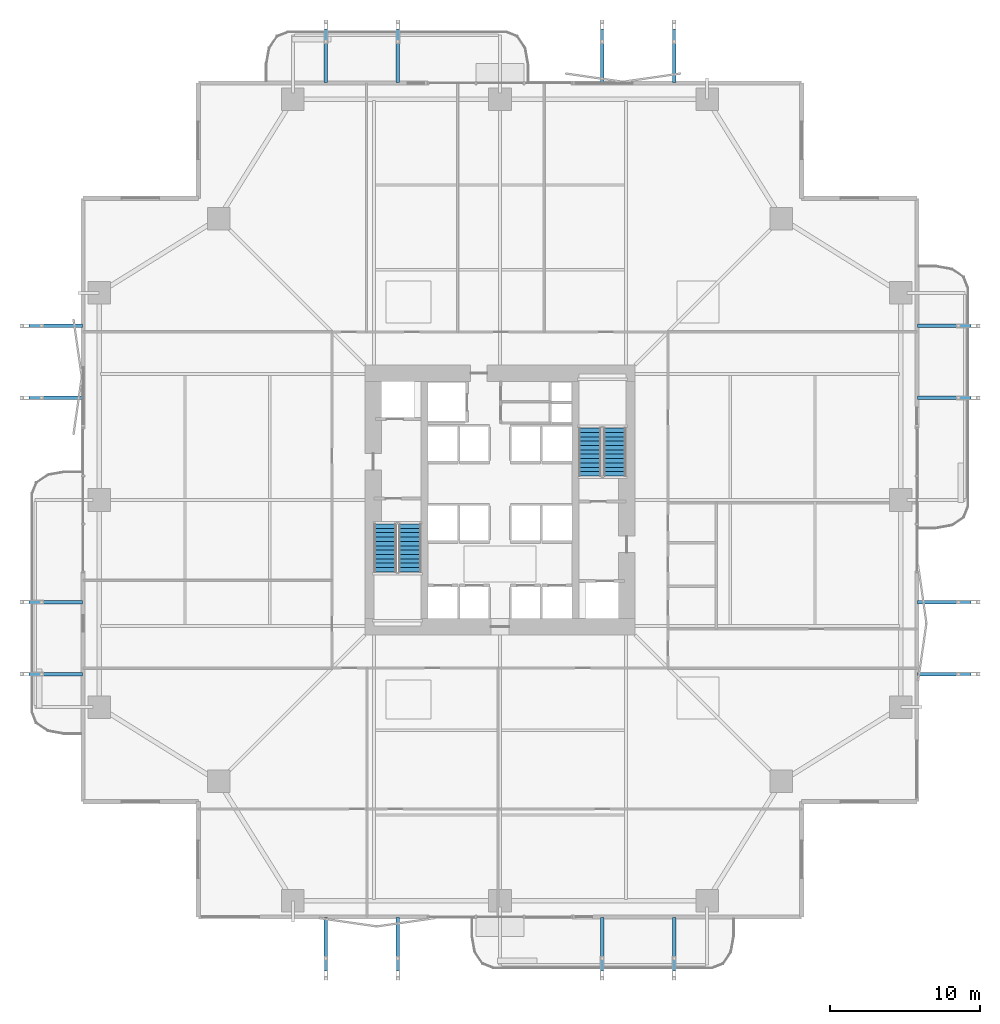
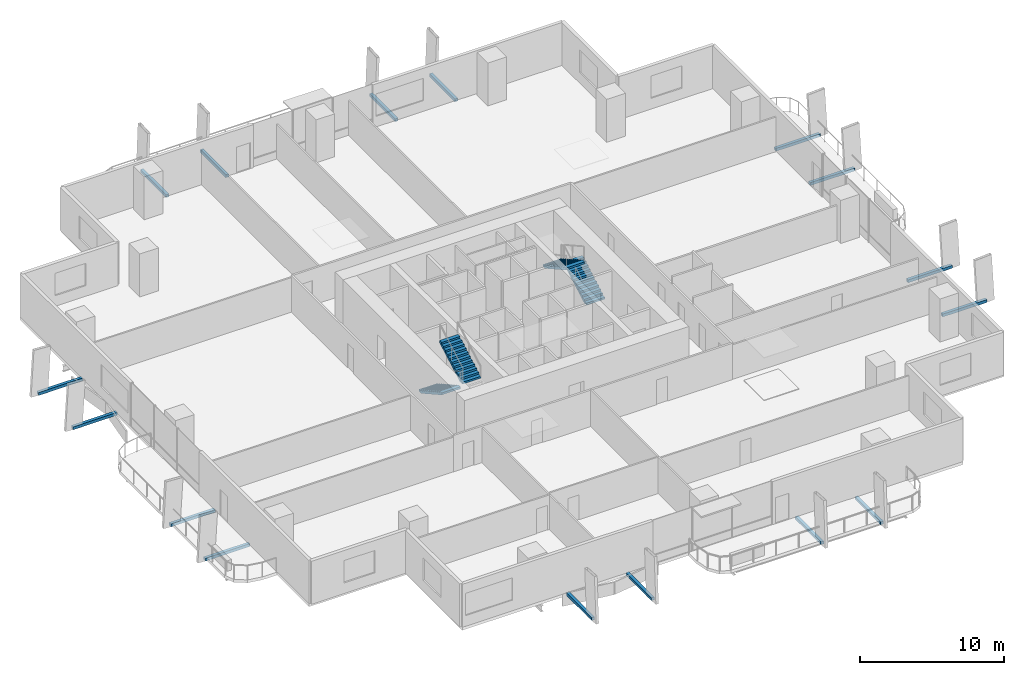
# One storey, part 20 of 24: 16 discrete accessories, 4 stair flights, 2 elements without a shape of their own.
"""IFC4 building model written with IfcOpenShell, lengths in metres."""

from ifc_helpers import new_model, si_unit, direction, frame, origin, origin_2d, place, context, subcontext, project, spatial, polyline, rectangle, outline, extrude, material, layer, layer_set, type_object, element, aggregate, save


model = new_model("IFC4")

# Units and contexts
model_context = context("Model", 3, precision=1e-05, world=origin(), true_north=direction((0.0, 1.0)))
body_context = subcontext(model_context, "Body", "Model", "MODEL_VIEW")
ifc_project = project(units=[si_unit("LENGTHUNIT", "METRE"), si_unit("AREAUNIT", "SQUARE_METRE"), si_unit("VOLUMEUNIT", "CUBIC_METRE"), si_unit("PLANEANGLEUNIT", "RADIAN"), si_unit("MASSUNIT", "GRAM", prefix="KILO")], contexts=[model_context])

# Site, building, storey
site_placement = place(None, origin())
site = spatial("IfcSite", under=ifc_project, at=site_placement, CompositionType="ELEMENT")
building_placement = place(site_placement, origin())
building = spatial("IfcBuilding", under=site, at=building_placement, Name="Belovzor Exchange Tower", CompositionType="ELEMENT")
storey_placement = place(building_placement, frame((0.0, 0.0, 33.89990234375)))
storey = spatial("IfcBuildingStorey", under=building, at=storey_placement, Name="L07", CompositionType="ELEMENT", Elevation=33.89990234375)

# Stair, stair flights
ifc_material_1 = material(Name="Concrete C40/50", Category="concrete")
stair_type = type_object("IfcStairType", Name="Reinforced Concrete Dogleg Escape Stair 1350", PredefinedType="HALF_TURN_STAIR", material=ifc_material_1)
stair_1_placement = place(storey_placement, origin())
stair_1 = element("IfcStair", 1, at=stair_1_placement, inside=storey, type_object=stair_type, Name="L07 ST-1", PredefinedType="HALF_TURN_STAIR")
ifc_material_2 = material(Name="Concrete C40/50", Category="concrete")
stair_flight_type = type_object("IfcStairFlightType", Name="Reinforced Concrete Stair Flight 1350", PredefinedType="STRAIGHT", material=ifc_material_2)
stair_flight_1_placement = place(storey_placement, frame((21.14990234375, 27.199951171875, 0.0), z_axis=(0.0, 0.0, 1.0), x_axis=(0.0, -1.0, 0.0)))
stair_flight_1 = element("IfcStairFlight", 2, at=stair_flight_1_placement, type_object=stair_flight_type, Name="ST-1 flight 1", NumberOfRisers=12, NumberOfTreads=11, PredefinedType="STRAIGHT", RiserHeight=0.1625, TreadLength=0.29, context=body_context, shape_type="SweptSolid", body=[
    extrude(outline(polyline([(0.0, 0.0), (0.0, 0.16259765625), (0.2900390625, 0.16259765625), (0.2900390625, 0.324951171875), (0.580078125, 0.324951171875), (0.580078125, 0.487548828125), (0.8701171875, 0.487548828125), (0.8701171875, 0.64990234375), (1.159912109375, 0.64990234375), (1.159912109375, 0.8125), (1.449951171875, 0.8125), (1.449951171875, 0.97509765625), (1.739990234375, 0.97509765625), (1.739990234375, 1.137451171875), (2.030029296875, 1.137451171875), (2.030029296875, 1.300048828125), (2.320068359375, 1.300048828125), (2.320068359375, 1.46240234375), (2.610107421875, 1.46240234375), (2.610107421875, 1.625), (2.89990234375, 1.625), (2.89990234375, 1.78759765625), (3.18994140625, 1.78759765625), (3.18994140625, 1.949951171875), (3.18994140625, 1.61572265625), (0.306640625, 0.0), (0.0, 0.0)])), frame((0.0, 0.75, 0.0), z_axis=(0.0, -1.0, 0.0), x_axis=(1.0, 0.0, 0.0)), (0.0, 0.0, 1.0), 1.5),
])
stair_flight_2_placement = place(storey_placement, frame((22.800048828125, 24.010009765625, 1.9501953125), z_axis=(0.0, 0.0, 1.0), x_axis=(0.0, 1.0, 0.0)))
stair_flight_2 = element("IfcStairFlight", 3, at=stair_flight_2_placement, type_object=stair_flight_type, Name="ST-1 flight 2", NumberOfRisers=12, NumberOfTreads=11, PredefinedType="STRAIGHT", RiserHeight=0.1625, TreadLength=0.29, context=body_context, shape_type="SweptSolid", body=[
    extrude(outline(polyline([(0.0, 0.0), (0.0, 0.16259765625), (0.2900390625, 0.16259765625), (0.2900390625, 0.324951171875), (0.580078125, 0.324951171875), (0.580078125, 0.487548828125), (0.8701171875, 0.487548828125), (0.8701171875, 0.64990234375), (1.159912109375, 0.64990234375), (1.159912109375, 0.8125), (1.449951171875, 0.8125), (1.449951171875, 0.97509765625), (1.739990234375, 0.97509765625), (1.739990234375, 1.137451171875), (2.030029296875, 1.137451171875), (2.030029296875, 1.300048828125), (2.320068359375, 1.300048828125), (2.320068359375, 1.46240234375), (2.610107421875, 1.46240234375), (2.610107421875, 1.625), (2.89990234375, 1.625), (2.89990234375, 1.78759765625), (3.18994140625, 1.78759765625), (3.18994140625, 1.949951171875), (3.18994140625, 1.61572265625), (0.306640625, 0.0), (0.0, 0.0)])), frame((0.0, 0.75, 0.0), z_axis=(0.0, -1.0, 0.0), x_axis=(1.0, 0.0, 0.0)), (0.0, 0.0, 1.0), 1.5),
])
aggregate(stair_1, [stair_flight_1, stair_flight_2])

stair_2_placement = place(storey_placement, origin())
stair_2 = element("IfcStair", 4, at=stair_2_placement, inside=storey, type_object=stair_type, Name="L07 ST-2", PredefinedType="HALF_TURN_STAIR")
stair_flight_3_placement = place(storey_placement, frame((36.449951171875, 30.39990234375, 0.0), z_axis=(0.0, 0.0, 1.0), x_axis=(0.0, 1.0, 0.0)))
stair_flight_3 = element("IfcStairFlight", 5, at=stair_flight_3_placement, type_object=stair_flight_type, Name="ST-2 flight 1", NumberOfRisers=12, NumberOfTreads=11, PredefinedType="STRAIGHT", RiserHeight=0.1625, TreadLength=0.29, context=body_context, shape_type="SweptSolid", body=[
    extrude(outline(polyline([(0.0, 0.0), (0.0, 0.16259765625), (0.2900390625, 0.16259765625), (0.2900390625, 0.324951171875), (0.580078125, 0.324951171875), (0.580078125, 0.487548828125), (0.8701171875, 0.487548828125), (0.8701171875, 0.64990234375), (1.159912109375, 0.64990234375), (1.159912109375, 0.8125), (1.449951171875, 0.8125), (1.449951171875, 0.97509765625), (1.739990234375, 0.97509765625), (1.739990234375, 1.137451171875), (2.030029296875, 1.137451171875), (2.030029296875, 1.300048828125), (2.320068359375, 1.300048828125), (2.320068359375, 1.46240234375), (2.610107421875, 1.46240234375), (2.610107421875, 1.625), (2.89990234375, 1.625), (2.89990234375, 1.78759765625), (3.18994140625, 1.78759765625), (3.18994140625, 1.949951171875), (3.18994140625, 1.61572265625), (0.306640625, 0.0), (0.0, 0.0)])), frame((0.0, 0.75, 0.0), z_axis=(0.0, -1.0, 0.0), x_axis=(1.0, 0.0, 0.0)), (0.0, 0.0, 1.0), 1.5),
])
stair_flight_4_placement = place(storey_placement, frame((34.800048828125, 33.590087890625, 1.9501953125), z_axis=(0.0, 0.0, 1.0), x_axis=(0.0, -1.0, 0.0)))
stair_flight_4 = element("IfcStairFlight", 6, at=stair_flight_4_placement, type_object=stair_flight_type, Name="ST-2 flight 2", NumberOfRisers=12, NumberOfTreads=11, PredefinedType="STRAIGHT", RiserHeight=0.1625, TreadLength=0.29, context=body_context, shape_type="SweptSolid", body=[
    extrude(outline(polyline([(0.0, 0.0), (0.0, 0.16259765625), (0.2900390625, 0.16259765625), (0.2900390625, 0.324951171875), (0.580078125, 0.324951171875), (0.580078125, 0.487548828125), (0.8701171875, 0.487548828125), (0.8701171875, 0.64990234375), (1.159912109375, 0.64990234375), (1.159912109375, 0.8125), (1.449951171875, 0.8125), (1.449951171875, 0.97509765625), (1.739990234375, 0.97509765625), (1.739990234375, 1.137451171875), (2.030029296875, 1.137451171875), (2.030029296875, 1.300048828125), (2.320068359375, 1.300048828125), (2.320068359375, 1.46240234375), (2.610107421875, 1.46240234375), (2.610107421875, 1.625), (2.89990234375, 1.625), (2.89990234375, 1.78759765625), (3.18994140625, 1.78759765625), (3.18994140625, 1.949951171875), (3.18994140625, 1.61572265625), (0.306640625, 0.0), (0.0, 0.0)])), frame((0.0, 0.75, 0.0), z_axis=(0.0, -1.0, 0.0), x_axis=(1.0, 0.0, 0.0)), (0.0, 0.0, 1.0), 1.5),
])
aggregate(stair_2, [stair_flight_3, stair_flight_4])

# Discrete accessories
ifc_material_3 = material(Name="Stainless Steel Grade 316", Category="steel")
ifc_layer = layer(ifc_material_3, 0.179931640625)
ifc_layer_set = layer_set([ifc_layer], Name="Stainless Steel Grade 316")
discrete_accessory_type = type_object("IfcDiscreteAccessoryType", Name="Stainless Steel Facade Outrigger Fixing Bracket", PredefinedType="BRACKET", material=ifc_layer_set)
for number, where, z_axis, x_axis, name in (
    (7, (17.199951171875, -0.802001953125, -0.2451171875), (0.0, 0.0, 1.0), (0.0, 1.0, 0.0), "BRK-FIN1 Sweeping Fin Outrigger Bracket L07 S1"),
    (8, (17.199951171875, 58.402099609375, -0.2451171875), (0.0, 0.0, 1.0), (0.0, 1.0, 0.0), "BRK-FIN1 Sweeping Fin Outrigger Bracket L07 N1"),
    (9, (-0.802001953125, 17.199951171875, -0.2451171875), (0.0, 0.0, 1.0), (1.0, 0.0, 0.0), "BRK-FIN1 Sweeping Fin Outrigger Bracket L07 W1"),
    (10, (58.402099609375, 17.199951171875, -0.2451171875), (0.0, 0.0, 1.0), (1.0, 0.0, 0.0), "BRK-FIN1 Sweeping Fin Outrigger Bracket L07 E1"),
    (11, (22.0, -0.802001953125, -0.2451171875), (0.0, 0.0, 1.0), (0.0, 1.0, 0.0), "BRK-FIN1 Sweeping Fin Outrigger Bracket L07 S2"),
    (12, (22.0, 58.402099609375, -0.2451171875), (0.0, 0.0, 1.0), (0.0, 1.0, 0.0), "BRK-FIN1 Sweeping Fin Outrigger Bracket L07 N2"),
    (13, (-0.802001953125, 22.0, -0.2451171875), (0.0, 0.0, 1.0), (1.0, 0.0, 0.0), "BRK-FIN1 Sweeping Fin Outrigger Bracket L07 W2"),
    (14, (58.402099609375, 22.0, -0.2451171875), (0.0, 0.0, 1.0), (1.0, 0.0, 0.0), "BRK-FIN1 Sweeping Fin Outrigger Bracket L07 E2"),
    (15, (35.60009765625, -0.802001953125, -0.2451171875), (0.0, 0.0, 1.0), (0.0, 1.0, 0.0), "BRK-FIN1 Sweeping Fin Outrigger Bracket L07 S3"),
    (16, (35.60009765625, 58.402099609375, -0.2451171875), (0.0, 0.0, 1.0), (0.0, 1.0, 0.0), "BRK-FIN1 Sweeping Fin Outrigger Bracket L07 N3"),
    (17, (-0.802001953125, 35.60009765625, -0.2451171875), (0.0, 0.0, 1.0), (1.0, 0.0, 0.0), "BRK-FIN1 Sweeping Fin Outrigger Bracket L07 W3"),
    (18, (58.402099609375, 35.60009765625, -0.2451171875), (0.0, 0.0, 1.0), (1.0, 0.0, 0.0), "BRK-FIN1 Sweeping Fin Outrigger Bracket L07 E3"),
    (19, (40.39990234375, -0.802001953125, -0.2451171875), (0.0, 0.0, 1.0), (0.0, 1.0, 0.0), "BRK-FIN1 Sweeping Fin Outrigger Bracket L07 S4"),
    (20, (40.39990234375, 58.402099609375, -0.2451171875), (0.0, 0.0, 1.0), (0.0, 1.0, 0.0), "BRK-FIN1 Sweeping Fin Outrigger Bracket L07 N4"),
    (21, (-0.802001953125, 40.39990234375, -0.2451171875), (0.0, 0.0, 1.0), (1.0, 0.0, 0.0), "BRK-FIN1 Sweeping Fin Outrigger Bracket L07 W4"),
    (22, (58.402099609375, 40.39990234375, -0.2451171875), (0.0, 0.0, 1.0), (1.0, 0.0, 0.0), "BRK-FIN1 Sweeping Fin Outrigger Bracket L07 E4"),
):
    element("IfcDiscreteAccessory", number, at=place(storey_placement, frame(where, z_axis=z_axis, x_axis=x_axis)), inside=storey, type_object=discrete_accessory_type, Name=name, PredefinedType="BRACKET", context=body_context, shape_type="SweptSolid", body=[
        extrude(rectangle(XDim=3.56396484375, YDim=0.239990234375, at=origin_2d()), origin(), (0.0, 0.0, 1.0), 0.239990234375),
    ])

save(model, "model.ifc")
